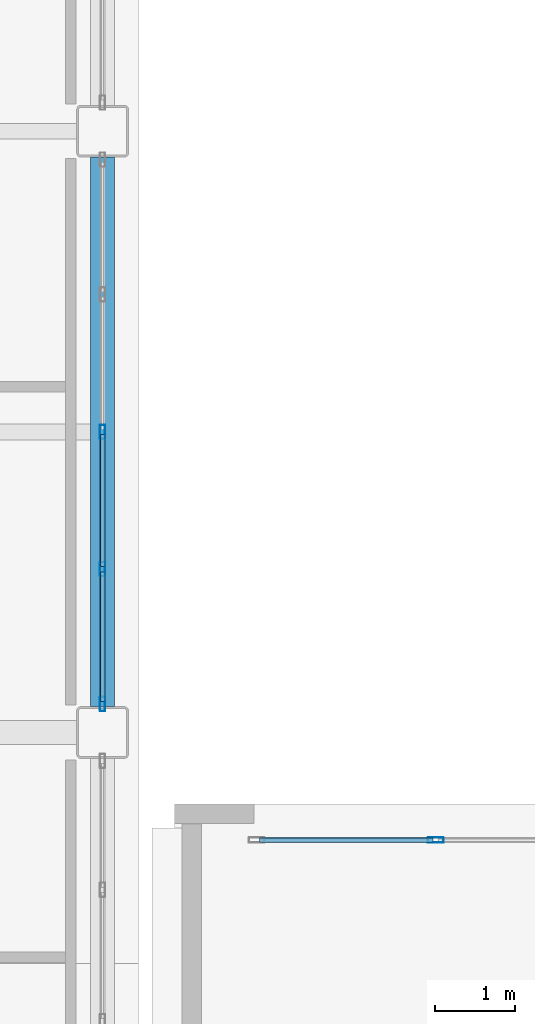
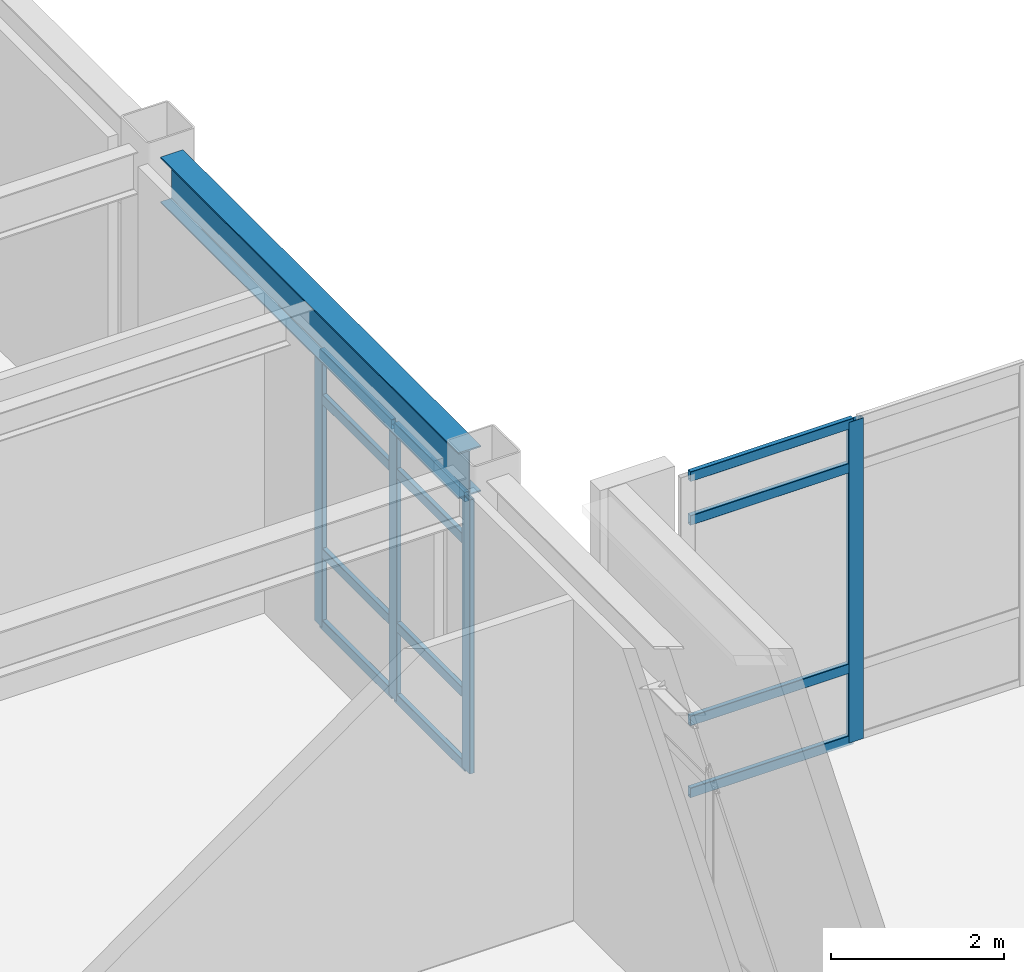
# One storey, part 58 of 172: 16 members, 1 beam, 2 elements without a shape of their own.
"""IFC4 building model written with IfcOpenShell, lengths in metres."""

from ifc_helpers import new_model, si_unit, direction, frame, origin, origin_2d, place, context, subcontext, project, spatial, hollow_rectangle, i_section, extrude, material, layer, layer_set, material_profile, profile_set, type_object, element, aggregate, save


model = new_model("IFC4")

# Units and contexts
model_context = context("Model", 3, precision=1e-05, world=origin(), true_north=direction((0.0, 1.0)))
body_context = subcontext(model_context, "Body", "Model", "MODEL_VIEW")
ifc_project = project(units=[si_unit("LENGTHUNIT", "METRE"), si_unit("AREAUNIT", "SQUARE_METRE"), si_unit("VOLUMEUNIT", "CUBIC_METRE"), si_unit("PLANEANGLEUNIT", "RADIAN"), si_unit("MASSUNIT", "GRAM", prefix="KILO")], contexts=[model_context])

# Site, building, storey
site_placement = place(None, origin())
site = spatial("IfcSite", under=ifc_project, at=site_placement, CompositionType="ELEMENT")
building_placement = place(site_placement, origin())
building = spatial("IfcBuilding", under=site, at=building_placement, Name="Kazehara Bluff Congress Hotel", CompositionType="ELEMENT")
storey_placement = place(building_placement, frame((0.0, 0.0, 5.39990234375)))
storey = spatial("IfcBuildingStorey", under=building, at=storey_placement, Name="L01", CompositionType="ELEMENT", Elevation=5.39990234375)

# Curtain wall, members
ifc_material_1 = material(Name="Anodised aluminium", Category="aluminium")
ifc_layer_1 = layer(ifc_material_1, 0.159912109375)
ifc_layer_set_1 = layer_set([ifc_layer_1], Name="Anodised aluminium")
curtain_wall_type_1 = type_object("IfcCurtainWallType", Name="TP-CW-55", PredefinedType="NOTDEFINED", material=ifc_layer_set_1)
curtain_wall_1_placement = place(storey_placement, origin())
curtain_wall_1 = element("IfcCurtainWall", 1, at=curtain_wall_1_placement, inside=storey, type_object=curtain_wall_type_1, Name="L01 curtain wall CW-55 CW-V4-L01-X10920-4122", PredefinedType="NOTDEFINED")
ifc_material_2 = material(Name="Anodised aluminium", Category="aluminium")
ifc_material_profile_1 = material_profile(ifc_material_2, hollow_rectangle(XDim=0.06494140625, YDim=0.179931640625, WallThickness=0.00390625, InnerFilletRadius=0.00390625, OuterFilletRadius=0.008056640625, at=origin_2d()))
ifc_profile_set_1 = profile_set([ifc_material_profile_1], Name="Anodised aluminium")
member_type_1 = type_object("IfcMemberType", Name="TP-CWM-02", PredefinedType="MULLION", material=ifc_profile_set_1)
member_1_placement = place(storey_placement, frame((109.199951171875, 41.257568359375, 0.0), z_axis=(0.0, 0.0, 1.0), x_axis=(-1.0, 0.0, 0.0)))
member_1 = element("IfcMember", 2, at=member_1_placement, type_object=member_type_1, Name="CW-55 mullion 1", PredefinedType="MULLION", context=body_context, shape_type="SweptSolid", body=[
    extrude(hollow_rectangle(XDim=0.06494140625, YDim=0.179931640625, WallThickness=0.00390625, InnerFilletRadius=0.00390625, OuterFilletRadius=0.008056640625, at=origin_2d()), origin(), (0.0, 0.0, 1.0), 3.875),
])
member_2_placement = place(storey_placement, frame((109.199951171875, 42.949951171875, 0.0), z_axis=(0.0, 0.0, 1.0), x_axis=(-1.0, 0.0, 0.0)))
member_2 = element("IfcMember", 3, at=member_2_placement, type_object=member_type_1, Name="CW-55 mullion 2", PredefinedType="MULLION", context=body_context, shape_type="SweptSolid", body=[
    extrude(hollow_rectangle(XDim=0.06494140625, YDim=0.179931640625, WallThickness=0.00390625, InnerFilletRadius=0.00390625, OuterFilletRadius=0.008056640625, at=origin_2d()), origin(), (0.0, 0.0, 1.0), 3.875),
])
member_3_placement = place(storey_placement, frame((109.199951171875, 44.675048828125, 0.0), z_axis=(0.0, 0.0, 1.0), x_axis=(-1.0, 0.0, 0.0)))
member_3 = element("IfcMember", 4, at=member_3_placement, type_object=member_type_1, Name="CW-55 mullion 3", PredefinedType="MULLION", context=body_context, shape_type="SweptSolid", body=[
    extrude(hollow_rectangle(XDim=0.06494140625, YDim=0.179931640625, WallThickness=0.00390625, InnerFilletRadius=0.00390625, OuterFilletRadius=0.008056640625, at=origin_2d()), origin(), (0.0, 0.0, 1.0), 3.875),
])

# Curtain wall, member
ifc_material_3 = material(Name="Anodised aluminium", Category="aluminium")
ifc_layer_2 = layer(ifc_material_3, 0.159912109375)
ifc_layer_set_2 = layer_set([ifc_layer_2], Name="Anodised aluminium")
curtain_wall_type_2 = type_object("IfcCurtainWallType", Name="TP-CW-82", PredefinedType="NOTDEFINED", material=ifc_layer_set_2)
curtain_wall_2_placement = place(storey_placement, origin())
curtain_wall_2 = element("IfcCurtainWall", 5, at=curtain_wall_2_placement, inside=storey, type_object=curtain_wall_type_2, Name="L01 curtain wall CW-82 CW-V5-L01-Y3955-11110", PredefinedType="NOTDEFINED")
ifc_material_4 = material(Name="Anodised aluminium", Category="aluminium")
ifc_material_profile_2 = material_profile(ifc_material_4, hollow_rectangle(XDim=0.070068359375, YDim=0.199951171875, WallThickness=0.0048828125, InnerFilletRadius=0.0048828125, OuterFilletRadius=0.010009765625, at=origin_2d()))
ifc_profile_set_2 = profile_set([ifc_material_profile_2], Name="Anodised aluminium")
member_type_2 = type_object("IfcMemberType", Name="TP-CWM-03", PredefinedType="MULLION", material=ifc_profile_set_2)
member_4_placement = place(storey_placement, frame((113.38330078125, 39.550048828125, 0.0), z_axis=(0.0, 0.0, 1.0), x_axis=(0.0, 1.0, 0.0)))
member_4 = element("IfcMember", 6, at=member_4_placement, type_object=member_type_2, Name="CW-82 mullion 2", PredefinedType="MULLION", context=body_context, shape_type="SweptSolid", body=[
    extrude(hollow_rectangle(XDim=0.070068359375, YDim=0.199951171875, WallThickness=0.0048828125, InnerFilletRadius=0.0048828125, OuterFilletRadius=0.010009765625, at=origin_2d()), origin(), (0.0, 0.0, 1.0), 4.53515625),
])

# Member
ifc_material_5 = material(Name="Anodised aluminium", Category="aluminium")
ifc_material_profile_3 = material_profile(ifc_material_5, hollow_rectangle(XDim=0.06494140625, YDim=0.139892578125, WallThickness=0.00390625, InnerFilletRadius=0.00390625, OuterFilletRadius=0.008056640625, at=origin_2d()))
ifc_profile_set_3 = profile_set([ifc_material_profile_3], Name="Anodised aluminium")
member_type_3 = type_object("IfcMemberType", Name="TP-CWT-02", PredefinedType="USERDEFINED", material=ifc_profile_set_3)
member_5_placement = place(storey_placement, frame((109.199951171875, 41.2900390625, 0.03271484375), z_axis=(0.0, 1.0, 0.0), x_axis=(-1.0, 0.0, 0.0)))
member_5 = element("IfcMember", 7, at=member_5_placement, type_object=member_type_3, Name="CW-55 transom 1.1", ObjectType="TRANSOM", PredefinedType="USERDEFINED", context=body_context, shape_type="SweptSolid", body=[
    extrude(hollow_rectangle(XDim=0.06494140625, YDim=0.139892578125, WallThickness=0.00390625, InnerFilletRadius=0.00390625, OuterFilletRadius=0.008056640625, at=origin_2d()), origin(), (0.0, 0.0, 1.0), 1.62744140625),
])

member_6_placement = place(storey_placement, frame((109.199951171875, 41.2900390625, 1.050048828125), z_axis=(0.0, 1.0, 0.0), x_axis=(-1.0, 0.0, 0.0)))
member_6 = element("IfcMember", 8, at=member_6_placement, type_object=member_type_3, Name="CW-55 transom 1.2", ObjectType="TRANSOM", PredefinedType="USERDEFINED", context=body_context, shape_type="SweptSolid", body=[
    extrude(hollow_rectangle(XDim=0.06494140625, YDim=0.139892578125, WallThickness=0.00390625, InnerFilletRadius=0.00390625, OuterFilletRadius=0.008056640625, at=origin_2d()), origin(), (0.0, 0.0, 1.0), 1.62744140625),
])

member_7_placement = place(storey_placement, frame((109.199951171875, 41.2900390625, 3.22509765625), z_axis=(0.0, 1.0, 0.0), x_axis=(-1.0, 0.0, 0.0)))
member_7 = element("IfcMember", 9, at=member_7_placement, type_object=member_type_3, Name="CW-55 transom 1.3", ObjectType="TRANSOM", PredefinedType="USERDEFINED", context=body_context, shape_type="SweptSolid", body=[
    extrude(hollow_rectangle(XDim=0.06494140625, YDim=0.139892578125, WallThickness=0.00390625, InnerFilletRadius=0.00390625, OuterFilletRadius=0.008056640625, at=origin_2d()), origin(), (0.0, 0.0, 1.0), 1.62744140625),
])

member_8_placement = place(storey_placement, frame((109.199951171875, 41.2900390625, 3.842529296875), z_axis=(0.0, 1.0, 0.0), x_axis=(-1.0, 0.0, 0.0)))
member_8 = element("IfcMember", 10, at=member_8_placement, type_object=member_type_3, Name="CW-55 transom 1.4", ObjectType="TRANSOM", PredefinedType="USERDEFINED", context=body_context, shape_type="SweptSolid", body=[
    extrude(hollow_rectangle(XDim=0.06494140625, YDim=0.139892578125, WallThickness=0.00390625, InnerFilletRadius=0.00390625, OuterFilletRadius=0.008056640625, at=origin_2d()), origin(), (0.0, 0.0, 1.0), 1.62744140625),
])

member_9_placement = place(storey_placement, frame((109.199951171875, 42.982421875, 0.03271484375), z_axis=(0.0, 1.0, 0.0), x_axis=(-1.0, 0.0, 0.0)))
member_9 = element("IfcMember", 11, at=member_9_placement, type_object=member_type_3, Name="CW-55 transom 2.1", ObjectType="TRANSOM", PredefinedType="USERDEFINED", context=body_context, shape_type="SweptSolid", body=[
    extrude(hollow_rectangle(XDim=0.06494140625, YDim=0.139892578125, WallThickness=0.00390625, InnerFilletRadius=0.00390625, OuterFilletRadius=0.008056640625, at=origin_2d()), origin(), (0.0, 0.0, 1.0), 1.66015625),
])

member_10_placement = place(storey_placement, frame((109.199951171875, 42.982421875, 1.050048828125), z_axis=(0.0, 1.0, 0.0), x_axis=(-1.0, 0.0, 0.0)))
member_10 = element("IfcMember", 12, at=member_10_placement, type_object=member_type_3, Name="CW-55 transom 2.2", ObjectType="TRANSOM", PredefinedType="USERDEFINED", context=body_context, shape_type="SweptSolid", body=[
    extrude(hollow_rectangle(XDim=0.06494140625, YDim=0.139892578125, WallThickness=0.00390625, InnerFilletRadius=0.00390625, OuterFilletRadius=0.008056640625, at=origin_2d()), origin(), (0.0, 0.0, 1.0), 1.66015625),
])

member_11_placement = place(storey_placement, frame((109.199951171875, 42.982421875, 3.22509765625), z_axis=(0.0, 1.0, 0.0), x_axis=(-1.0, 0.0, 0.0)))
member_11 = element("IfcMember", 13, at=member_11_placement, type_object=member_type_3, Name="CW-55 transom 2.3", ObjectType="TRANSOM", PredefinedType="USERDEFINED", context=body_context, shape_type="SweptSolid", body=[
    extrude(hollow_rectangle(XDim=0.06494140625, YDim=0.139892578125, WallThickness=0.00390625, InnerFilletRadius=0.00390625, OuterFilletRadius=0.008056640625, at=origin_2d()), origin(), (0.0, 0.0, 1.0), 1.66015625),
])

member_12_placement = place(storey_placement, frame((109.199951171875, 42.982421875, 3.842529296875), z_axis=(0.0, 1.0, 0.0), x_axis=(-1.0, 0.0, 0.0)))
member_12 = element("IfcMember", 14, at=member_12_placement, type_object=member_type_3, Name="CW-55 transom 2.4", ObjectType="TRANSOM", PredefinedType="USERDEFINED", context=body_context, shape_type="SweptSolid", body=[
    extrude(hollow_rectangle(XDim=0.06494140625, YDim=0.139892578125, WallThickness=0.00390625, InnerFilletRadius=0.00390625, OuterFilletRadius=0.008056640625, at=origin_2d()), origin(), (0.0, 0.0, 1.0), 1.66015625),
])

aggregate(curtain_wall_1, [member_1, member_2, member_3, member_5, member_6, member_7, member_8, member_9, member_10, member_11, member_12])

member_13_placement = place(storey_placement, frame((111.169921875, 39.550048828125, 0.03271484375), z_axis=(1.0, 0.0, 0.0), x_axis=(0.0, 1.0, 0.0)))
member_13 = element("IfcMember", 15, at=member_13_placement, type_object=member_type_3, Name="CW-82 transom 1.1", ObjectType="TRANSOM", PredefinedType="USERDEFINED", context=body_context, shape_type="SweptSolid", body=[
    extrude(hollow_rectangle(XDim=0.06494140625, YDim=0.139892578125, WallThickness=0.00390625, InnerFilletRadius=0.00390625, OuterFilletRadius=0.008056640625, at=origin_2d()), origin(), (0.0, 0.0, 1.0), 2.178466796875),
])

member_14_placement = place(storey_placement, frame((111.169921875, 39.550048828125, 1.050048828125), z_axis=(1.0, 0.0, 0.0), x_axis=(0.0, 1.0, 0.0)))
member_14 = element("IfcMember", 16, at=member_14_placement, type_object=member_type_3, Name="CW-82 transom 1.2", ObjectType="TRANSOM", PredefinedType="USERDEFINED", context=body_context, shape_type="SweptSolid", body=[
    extrude(hollow_rectangle(XDim=0.06494140625, YDim=0.139892578125, WallThickness=0.00390625, InnerFilletRadius=0.00390625, OuterFilletRadius=0.008056640625, at=origin_2d()), origin(), (0.0, 0.0, 1.0), 2.178466796875),
])

member_15_placement = place(storey_placement, frame((111.169921875, 39.550048828125, 3.885009765625), z_axis=(1.0, 0.0, 0.0), x_axis=(0.0, 1.0, 0.0)))
member_15 = element("IfcMember", 17, at=member_15_placement, type_object=member_type_3, Name="CW-82 transom 1.3", ObjectType="TRANSOM", PredefinedType="USERDEFINED", context=body_context, shape_type="SweptSolid", body=[
    extrude(hollow_rectangle(XDim=0.06494140625, YDim=0.139892578125, WallThickness=0.00390625, InnerFilletRadius=0.00390625, OuterFilletRadius=0.008056640625, at=origin_2d()), origin(), (0.0, 0.0, 1.0), 2.178466796875),
])

member_16_placement = place(storey_placement, frame((111.169921875, 39.550048828125, 4.502685546875), z_axis=(1.0, 0.0, 0.0), x_axis=(0.0, 1.0, 0.0)))
member_16 = element("IfcMember", 18, at=member_16_placement, type_object=member_type_3, Name="CW-82 transom 1.4", ObjectType="TRANSOM", PredefinedType="USERDEFINED", context=body_context, shape_type="SweptSolid", body=[
    extrude(hollow_rectangle(XDim=0.06494140625, YDim=0.139892578125, WallThickness=0.00390625, InnerFilletRadius=0.00390625, OuterFilletRadius=0.008056640625, at=origin_2d()), origin(), (0.0, 0.0, 1.0), 2.178466796875),
])

aggregate(curtain_wall_2, [member_4, member_13, member_14, member_15, member_16])

# Beam
ifc_material_6 = material(Name="Steel SN490B", Category="steel")
ifc_material_profile_4 = material_profile(ifc_material_6, i_section(OverallWidth=0.300048828125, OverallDepth=0.64990234375, WebThickness=0.011962890625, FlangeThickness=0.02001953125, FilletRadius=0.012939453125, at=origin_2d()))
ifc_profile_set_4 = profile_set([ifc_material_profile_4], Name="Steel SN490B")
beam_type = type_object("IfcBeamType", Name="TP-G-03", PredefinedType="BEAM", material=ifc_profile_set_4)
beam_placement = place(storey_placement, frame((109.199951171875, 41.22509765625, 4.22509765625), z_axis=(0.0, 1.0, 0.0), x_axis=(-1.0, 0.0, 0.0)))
element("IfcBeam", 19, at=beam_placement, inside=storey, type_object=beam_type, Name="L01 girder G-03 183", PredefinedType="BEAM", context=body_context, shape_type="SweptSolid", body=[
    extrude(i_section(OverallWidth=0.300048828125, OverallDepth=0.64990234375, WebThickness=0.011962890625, FlangeThickness=0.02001953125, FilletRadius=0.012939453125, at=origin_2d()), origin(), (0.0, 0.0, 1.0), 6.89990234375),
])

save(model, "model.ifc")
